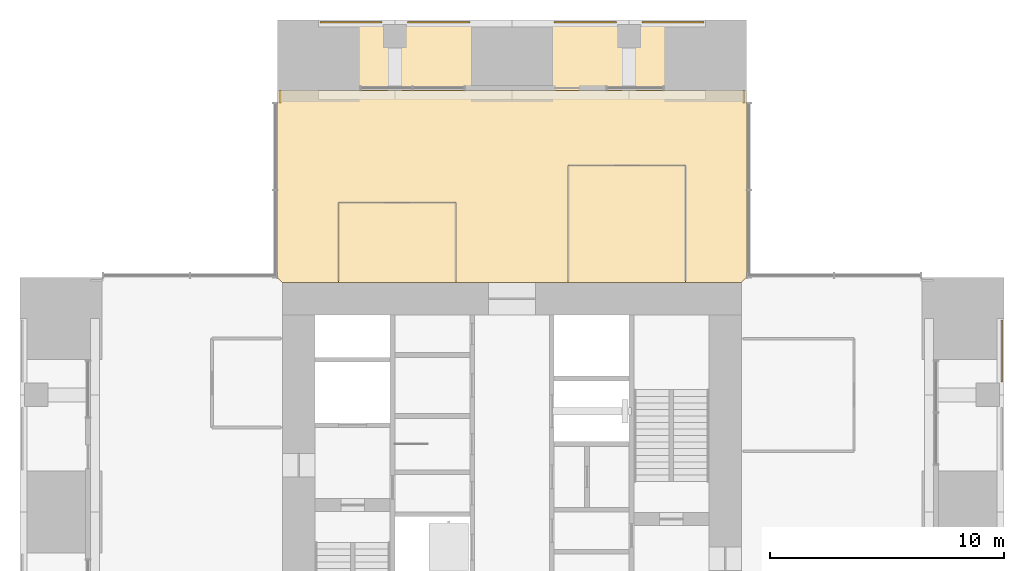
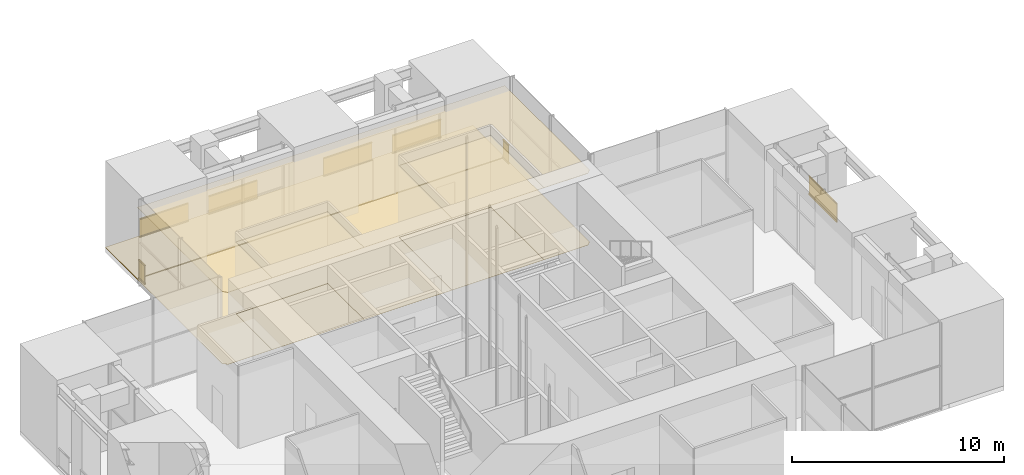
# One storey, part 16 of 17: 7 coverings, 7 railings.
"""IFC4 building model written with IfcOpenShell, lengths in metres."""

from ifc_helpers import new_model, si_unit, direction, frame, origin, origin_2d, place, context, subcontext, project, spatial, polyline, rectangle, outline, extrude, material, layer, layer_set, type_object, element, save


model = new_model("IFC4")

# Units and contexts
model_context = context("Model", 3, precision=1e-05, world=origin(), true_north=direction((0.0, 1.0)))
body_context = subcontext(model_context, "Body", "Model", "MODEL_VIEW")
ifc_project = project(units=[si_unit("LENGTHUNIT", "METRE"), si_unit("AREAUNIT", "SQUARE_METRE"), si_unit("VOLUMEUNIT", "CUBIC_METRE"), si_unit("PLANEANGLEUNIT", "RADIAN"), si_unit("MASSUNIT", "GRAM", prefix="KILO")], contexts=[model_context])

# Site, building, storey
site_placement = place(None, origin())
site = spatial("IfcSite", under=ifc_project, at=site_placement, CompositionType="ELEMENT")
building_placement = place(site_placement, origin())
building = spatial("IfcBuilding", under=site, at=building_placement, Name="Svetlomir Tower", CompositionType="ELEMENT")
storey_placement = place(building_placement, frame((0.0, 0.0, 165.5)))
storey = spatial("IfcBuildingStorey", under=building, at=storey_placement, Name="L39", CompositionType="ELEMENT", Elevation=165.5)

# Railings
ifc_material_1 = material(Name="Bronze anodised aluminium and laminated glass", Category="aluminium")
railing_type = type_object("IfcRailingType", Name="BALCONY GUARD GR1 1100", PredefinedType="GUARDRAIL", material=ifc_material_1)
railing_placement = place(storey_placement, frame((41.89990234375, 26.550048828125, 0.0)))
element("IfcRailing", 1, at=railing_placement, inside=storey, type_object=railing_type, Name="Loggia guard E L39 bay 4", PredefinedType="GUARDRAIL", context=body_context, shape_type="SweptSolid", body=[
    extrude(rectangle(XDim=0.06005859375, YDim=0.10009765625, at=origin_2d()), frame((0.0, 0.0, 0.050048828125), z_axis=(0.0, 1.0, 0.0), x_axis=(-1.0, 0.0, 0.0)), (0.0, 0.0, 1.0), 2.64990234375),
    extrude(rectangle(XDim=0.021484375, YDim=0.960205078125, at=origin_2d()), frame((0.0, 0.0, 0.580078125), z_axis=(0.0, 1.0, 0.0), x_axis=(-1.0, 0.0, 0.0)), (0.0, 0.0, 1.0), 2.64990234375),
    extrude(rectangle(XDim=0.06005859375, YDim=0.0400390625, at=origin_2d()), frame((0.0, 0.0, 1.080078125), z_axis=(0.0, 1.0, 0.0), x_axis=(-1.0, 0.0, 0.0)), (0.0, 0.0, 1.0), 2.64990234375),
])
for number, where, name in (
    (2, (12.800048828125, 41.89990234375, 0.0), "Loggia guard N L39 bay 1"),
    (3, (16.550048828125, 41.89990234375, 0.0), "Loggia guard N L39 bay 2"),
    (4, (22.800048828125, 41.89990234375, 0.0), "Loggia guard N L39 bay 3"),
    (5, (26.550048828125, 41.89990234375, 0.0), "Loggia guard N L39 bay 4"),
):
    element("IfcRailing", number, at=place(storey_placement, frame(where)), inside=storey, type_object=railing_type, Name=name, PredefinedType="GUARDRAIL", context=body_context, shape_type="SweptSolid", body=[
        extrude(rectangle(XDim=0.06005859375, YDim=0.10009765625, at=origin_2d()), frame((0.0, 0.0, 0.050048828125), z_axis=(1.0, 0.0, 0.0), x_axis=(0.0, 1.0, 0.0)), (0.0, 0.0, 1.0), 2.64990234375),
        extrude(rectangle(XDim=0.021484375, YDim=0.960205078125, at=origin_2d()), frame((0.0, 0.0, 0.580078125), z_axis=(1.0, 0.0, 0.0), x_axis=(0.0, 1.0, 0.0)), (0.0, 0.0, 1.0), 2.64990234375),
        extrude(rectangle(XDim=0.06005859375, YDim=0.0400390625, at=origin_2d()), frame((0.0, 0.0, 1.080078125), z_axis=(1.0, 0.0, 0.0), x_axis=(0.0, 1.0, 0.0)), (0.0, 0.0, 1.0), 2.64990234375),
    ])
for number, where, name in (
    (6, (11.10009765625, 38.449951171875, 0.0), "Loggia guard N L39 end 1"),
    (7, (30.89990234375, 38.449951171875, 0.0), "Loggia guard N L39 end 2"),
):
    element("IfcRailing", number, at=place(storey_placement, frame(where)), inside=storey, type_object=railing_type, Name=name, PredefinedType="GUARDRAIL", context=body_context, shape_type="SweptSolid", body=[
        extrude(rectangle(XDim=0.06005859375, YDim=0.10009765625, at=origin_2d()), frame((0.0, 0.0, 0.050048828125), z_axis=(0.0, 1.0, 0.0), x_axis=(-1.0, 0.0, 0.0)), (0.0, 0.0, 1.0), 0.550048828125),
        extrude(rectangle(XDim=0.021484375, YDim=0.960205078125, at=origin_2d()), frame((0.0, 0.0, 0.580078125), z_axis=(0.0, 1.0, 0.0), x_axis=(-1.0, 0.0, 0.0)), (0.0, 0.0, 1.0), 0.550048828125),
        extrude(rectangle(XDim=0.06005859375, YDim=0.0400390625, at=origin_2d()), frame((0.0, 0.0, 1.080078125), z_axis=(0.0, 1.0, 0.0), x_axis=(-1.0, 0.0, 0.0)), (0.0, 0.0, 1.0), 0.550048828125),
    ])

# Coverings
ifc_material_2 = material(Name="Granite paving slabs on pedestals", Category="masonry")
ifc_layer_1 = layer(ifc_material_2, 0.0400390625)
ifc_layer_set_1 = layer_set([ifc_layer_1], Name="Granite paving slabs on pedestals")
covering_type_1 = type_object("IfcCoveringType", Name="BALCONY PAVING 40", PredefinedType="USERDEFINED", material=ifc_layer_set_1)
covering_1_placement = place(storey_placement, origin())
element("IfcCovering", 8, at=covering_1_placement, inside=storey, type_object=covering_type_1, Name="Loggia paving N L39", ObjectType="BALCONY PAVING", PredefinedType="USERDEFINED", context=body_context, shape_type="SweptSolid", body=[
    extrude(outline(polyline([(11.0, 39.0), (31.0, 39.0), (31.0, 42.0), (11.0, 42.0), (11.0, 39.0)])), origin(), (0.0, 0.0, 1.0), 0.0400390625),
])
ifc_material_3 = material(Name="Carpet tile", Category="textile")
ifc_layer_2 = layer(ifc_material_3, 0.010009765625)
ifc_layer_set_2 = layer_set([ifc_layer_2], Name="Carpet tile")
covering_type_2 = type_object("IfcCoveringType", Name="CARPET TILE FLOOR 10", PredefinedType="FLOORING", material=ifc_layer_set_2)
covering_2_placement = place(storey_placement, origin())
element("IfcCovering", 9, at=covering_2_placement, inside=storey, type_object=covering_type_2, Name="Floor finish L39-20", PredefinedType="FLOORING", context=body_context, shape_type="SweptSolid", body=[
    extrude(outline(polyline([(13.60009765625, 30.800048828125), (18.60009765625, 30.800048828125), (18.60009765625, 34.199951171875), (13.60009765625, 34.199951171875), (13.60009765625, 30.800048828125)])), origin(), (0.0, 0.0, 1.0), 0.010009765625),
])
covering_3_placement = place(storey_placement, origin())
element("IfcCovering", 10, at=covering_3_placement, inside=storey, type_object=covering_type_2, Name="Floor finish L39-21", PredefinedType="FLOORING", context=body_context, shape_type="SweptSolid", body=[
    extrude(outline(polyline([(23.39990234375, 30.800048828125), (28.39990234375, 30.800048828125), (28.39990234375, 35.800048828125), (23.39990234375, 35.800048828125), (23.39990234375, 30.800048828125)])), origin(), (0.0, 0.0, 1.0), 0.010009765625),
])
covering_4_placement = place(storey_placement, origin())
element("IfcCovering", 11, at=covering_4_placement, inside=storey, type_object=covering_type_2, Name="Floor finish L39-26", PredefinedType="FLOORING", context=body_context, shape_type="SweptSolid", body=[
    extrude(outline(polyline([(11.0, 39.0), (31.0, 39.0), (31.0, 31.0), (30.800048828125, 30.800048828125), (28.39990234375, 30.800048828125), (28.39990234375, 35.800048828125), (23.39990234375, 35.800048828125), (23.39990234375, 30.800048828125), (18.60009765625, 30.800048828125), (18.60009765625, 34.199951171875), (13.60009765625, 34.199951171875), (13.60009765625, 30.800048828125), (11.199951171875, 30.800048828125), (11.0, 31.0), (11.0, 39.0)])), origin(), (0.0, 0.0, 1.0), 0.010009765625),
])
ifc_material_4 = material(Name="Mineral fibre ceiling tile", Category="mineral")
ifc_layer_3 = layer(ifc_material_4, 0.02001953125)
ifc_layer_set_3 = layer_set([ifc_layer_3], Name="Mineral fibre ceiling tile")
covering_type_3 = type_object("IfcCoveringType", Name="SUSPENDED CEILING 20", PredefinedType="CEILING", material=ifc_layer_set_3)
covering_5_placement = place(storey_placement, frame((0.0, 0.0, 4.1298828125)))
element("IfcCovering", 12, at=covering_5_placement, inside=storey, type_object=covering_type_3, Name="Ceiling L39-20", PredefinedType="CEILING", context=body_context, shape_type="SweptSolid", body=[
    extrude(outline(polyline([(13.60009765625, 30.800048828125), (18.60009765625, 30.800048828125), (18.60009765625, 34.199951171875), (13.60009765625, 34.199951171875), (13.60009765625, 30.800048828125)])), origin(), (0.0, 0.0, 1.0), 0.02001953125),
])
covering_6_placement = place(storey_placement, frame((0.0, 0.0, 4.1298828125)))
element("IfcCovering", 13, at=covering_6_placement, inside=storey, type_object=covering_type_3, Name="Ceiling L39-21", PredefinedType="CEILING", context=body_context, shape_type="SweptSolid", body=[
    extrude(outline(polyline([(23.39990234375, 30.800048828125), (28.39990234375, 30.800048828125), (28.39990234375, 35.800048828125), (23.39990234375, 35.800048828125), (23.39990234375, 30.800048828125)])), origin(), (0.0, 0.0, 1.0), 0.02001953125),
])
covering_7_placement = place(storey_placement, frame((0.0, 0.0, 4.1298828125)))
element("IfcCovering", 14, at=covering_7_placement, inside=storey, type_object=covering_type_3, Name="Ceiling L39-26", PredefinedType="CEILING", context=body_context, shape_type="SweptSolid", body=[
    extrude(outline(polyline([(11.0, 39.0), (31.0, 39.0), (31.0, 31.0), (30.800048828125, 30.800048828125), (28.39990234375, 30.800048828125), (28.39990234375, 35.800048828125), (23.39990234375, 35.800048828125), (23.39990234375, 30.800048828125), (18.60009765625, 30.800048828125), (18.60009765625, 34.199951171875), (13.60009765625, 34.199951171875), (13.60009765625, 30.800048828125), (11.199951171875, 30.800048828125), (11.0, 31.0), (11.0, 39.0)])), origin(), (0.0, 0.0, 1.0), 0.02001953125),
])

save(model, "model.ifc")
